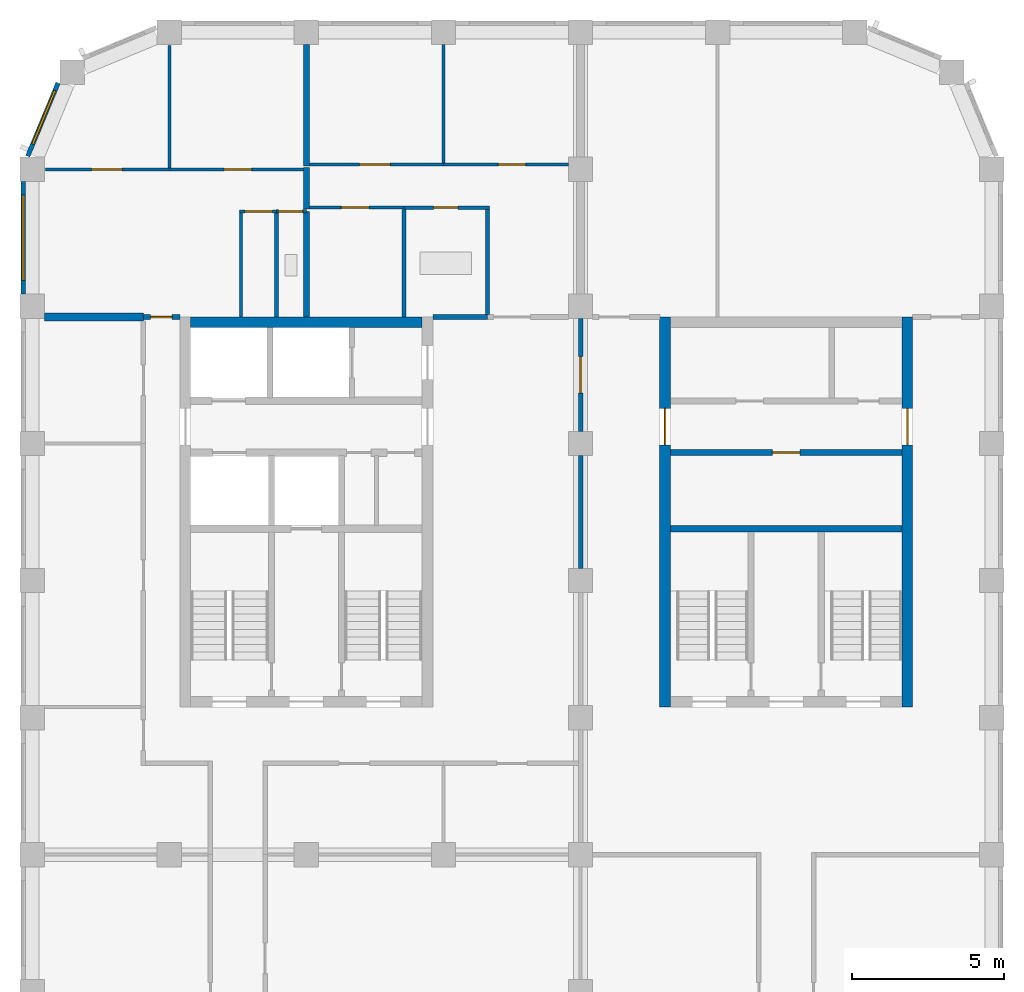
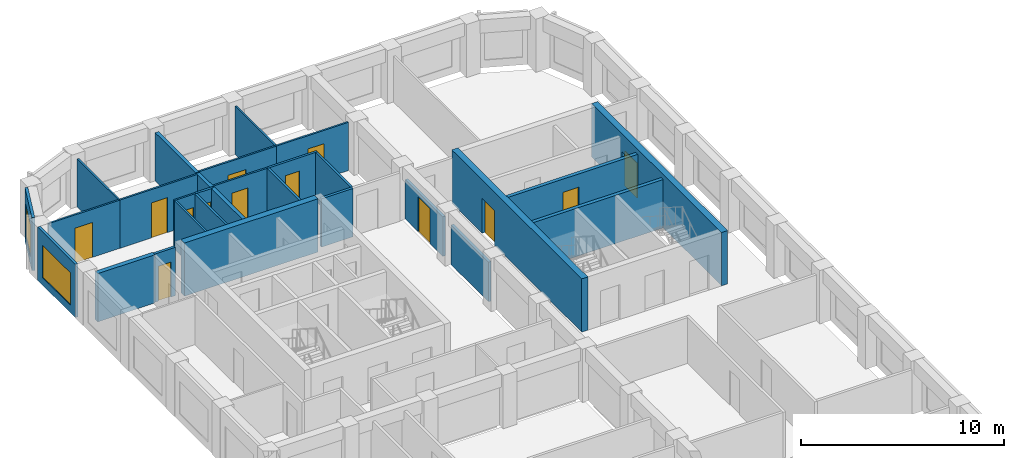
# One storey, part 6 of 10: 29 walls, 13 doors, 2 windows, 15 openings.
"""IFC4 building model written with IfcOpenShell, lengths in metres."""

import ifcopenshell
import ifcopenshell.guid

model = None  # the IFC model being written
_history = None  # IfcOwnerHistory: only IFC2X3 demands one
_inside = {}  # id of a spatial element -> (the spatial element, [elements in it])
_under = {}  # id of a project, library or spatial element -> (it, [spatial elements below it])
_declared = {}  # id of a project -> (the project, [libraries it declares])
_typed = {}  # id of a type object -> (the type object, [elements of that type])
_made_of = {}  # id of a material, layer set ... -> (it, [elements and type objects made of it])


def new_model(schema):
    """Start an empty IFC model of exactly this schema.

    Asked for "IFC4X3", IfcOpenShell would pick the latest addendum, in which some entities
    have other attributes; the version numbers below select the first issue.
    IFC2X3 requires an IfcOwnerHistory on every rooted entity: one is made here for all.
    """
    global model, _history
    if schema == "IFC4X3":
        model = ifcopenshell.file(schema_version=(4, 3, 0, 0))
    else:
        model = ifcopenshell.file(schema=schema)
    _inside.clear()
    _under.clear()
    _declared.clear()
    _typed.clear()
    _made_of.clear()
    _history = None
    if model.schema == "IFC2X3":
        org = make("IfcOrganization", Name="unknown")
        user = make(
            "IfcPersonAndOrganization",
            ThePerson=make("IfcPerson", FamilyName="unknown"),
            TheOrganization=org,
        )
        app = make(
            "IfcApplication",
            ApplicationDeveloper=org,
            Version="unknown",
            ApplicationFullName="unknown",
            ApplicationIdentifier="unknown",
        )
        _history = make(
            "IfcOwnerHistory",
            OwningUser=user,
            OwningApplication=app,
            ChangeAction="ADDED",
            CreationDate=0,
        )
    return model


def make(cls, **values):
    """One entity of the class cls with the attributes given. An attribute that is None is left unset."""
    return model.create_entity(
        cls, **{name: value for name, value in values.items() if value is not None}
    )


def rooted(cls, **values):
    """An entity with a GlobalId (a new one), such as an element, a storey or a relation."""
    return make(cls, GlobalId=ifcopenshell.guid.new(), OwnerHistory=_history, **values)


def si_unit(unit_type, name, prefix=None):
    """IfcSIUnit, for example si_unit("LENGTHUNIT", "METRE", prefix="MILLI")."""
    return make("IfcSIUnit", UnitType=unit_type, Prefix=prefix, Name=name)


def assignment(units):
    """IfcUnitAssignment: the units of a project."""
    return None if units is None else make("IfcUnitAssignment", Units=units)


def point(xyz):
    """IfcCartesianPoint."""
    return None if xyz is None else make("IfcCartesianPoint", Coordinates=xyz)


def direction(xyz):
    """IfcDirection."""
    return None if xyz is None else make("IfcDirection", DirectionRatios=xyz)


def frame(location, z_axis=None, x_axis=None):
    """IfcAxis2Placement3D, a coordinate frame: its origin and axes. An axis left out is left unset."""
    return make(
        "IfcAxis2Placement3D",
        Location=point(location),
        Axis=direction(z_axis),
        RefDirection=direction(x_axis),
    )


def frame_2d(location, x_axis=None):
    """IfcAxis2Placement2D, a coordinate frame in the plane: its origin and x axis."""
    return make(
        "IfcAxis2Placement2D", Location=point(location), RefDirection=direction(x_axis)
    )


def origin():
    """The frame at (0, 0, 0) with its axes left unset."""
    return frame((0.0, 0.0, 0.0))


def place(relative_to, where):
    """IfcLocalPlacement: puts the frame where relative to a parent placement (None: the world)."""
    return make(
        "IfcLocalPlacement", PlacementRelTo=relative_to, RelativePlacement=where
    )


def context(
    kind, dimensions, precision=None, world=None, true_north=None, identifier=None
):
    """IfcGeometricRepresentationContext, for example the 3D "Model" context."""
    return make(
        "IfcGeometricRepresentationContext",
        ContextIdentifier=identifier,
        ContextType=kind,
        CoordinateSpaceDimension=dimensions,
        Precision=precision,
        WorldCoordinateSystem=world,
        TrueNorth=true_north,
    )


def subcontext(parent, identifier, kind, view, scale=None):
    """IfcGeometricRepresentationSubContext, for example "Body" below "Model"."""
    return make(
        "IfcGeometricRepresentationSubContext",
        ContextIdentifier=identifier,
        ContextType=kind,
        ParentContext=parent,
        TargetScale=scale,
        TargetView=view,
    )


def project(units=None, contexts=None):
    """IfcProject with its units and contexts."""
    return rooted(
        "IfcProject",
        Name="project",
        RepresentationContexts=contexts,
        UnitsInContext=assignment(units),
    )


def spatial(cls, under=None, at=None, **own):
    """A site, building, storey or space (cls), placed at a placement, below another one or the project."""
    s = rooted(cls, ObjectPlacement=at, **own)
    if under is not None:
        _under.setdefault(under.id(), (under, []))[1].append(s)
    return s


def profile(cls, at=None, kind="AREA", **sizes):
    """A parametric profile (cls). Its sizes go by their IFC names, for example OverallWidth=200.0."""
    return make(cls, ProfileType=kind, Position=at, **sizes)


def rectangle(**sizes):
    """IfcRectangleProfileDef."""
    return profile("IfcRectangleProfileDef", **sizes)


def extrude(swept, where, along, depth):
    """IfcExtrudedAreaSolid: the profile swept, set in the frame where, extruded along a direction by depth."""
    return make(
        "IfcExtrudedAreaSolid",
        SweptArea=swept,
        Position=where,
        ExtrudedDirection=direction(along),
        Depth=depth,
    )


def shape(context_of_items, identifier, shape_type, items):
    """IfcShapeRepresentation: the items that make up one representation, for example the "Body"."""
    return make(
        "IfcShapeRepresentation",
        ContextOfItems=context_of_items,
        RepresentationIdentifier=identifier,
        RepresentationType=shape_type,
        Items=items,
    )


def material(Name=None, Category=None):
    """IfcMaterial."""
    return make("IfcMaterial", Name=Name, Category=Category)


def layer(
    of_material, thickness, ventilated=None, Name=None, Category=None, Priority=None
):
    """IfcMaterialLayer: one layer of a wall or slab, of a material (None: an air gap)."""
    return make(
        "IfcMaterialLayer",
        Material=of_material,
        LayerThickness=thickness,
        IsVentilated=ventilated,
        Name=Name,
        Category=Category,
        Priority=Priority,
    )


def layer_set(layers, Name=None):
    """IfcMaterialLayerSet."""
    return make("IfcMaterialLayerSet", MaterialLayers=layers, LayerSetName=Name)


def made_of(thing, what):
    """Note that an element or type object is made of a material, layer set ...; save() writes the relation."""
    if what is not None:
        _made_of.setdefault(what.id(), (what, []))[1].append(thing)
    return thing


def type_object(cls, material=None, **own):
    """A type object (cls), such as IfcWallType, which elements share."""
    return made_of(rooted(cls, **own), material)


def element(
    cls,
    number,
    at=None,
    inside=None,
    cuts=None,
    type_object=None,
    material=None,
    context=None,
    identifier="Body",
    shape_type=None,
    held_by="IfcProductDefinitionShape",
    body=None,
    shapes=None,
    **own,
):
    """One element of the class cls, such as IfcWall. Its Tag is "e" and its number.

    at: its placement. inside: the storey or other place that contains it. cuts: it is an
    opening in that element (IfcRelVoidsElement). A single representation is given by context,
    identifier, shape_type and body (its items); several are given by shapes. held_by: the class
    of the entity that holds the representations. save() writes the other relations.
    """
    e = rooted(cls, Tag="e%d" % number, ObjectPlacement=at, **own)
    if body is not None:
        shapes = [shape(context, identifier, shape_type, body)]
    if shapes is not None:
        e.Representation = make(held_by, Representations=shapes)
    if inside is not None:
        _inside.setdefault(inside.id(), (inside, []))[1].append(e)
    if cuts is not None:
        rooted(
            "IfcRelVoidsElement", RelatingBuildingElement=cuts, RelatedOpeningElement=e
        )
    if type_object is not None:
        _typed.setdefault(type_object.id(), (type_object, []))[1].append(e)
    return made_of(e, material)


def fill(opening, filler):
    """IfcRelFillsElement: the door or window that sits in an opening."""
    return rooted(
        "IfcRelFillsElement",
        RelatingOpeningElement=opening,
        RelatedBuildingElement=filler,
    )


def aggregate(whole, parts):
    """IfcRelAggregates: a whole, such as a stair, and the parts it consists of."""
    return rooted("IfcRelAggregates", RelatingObject=whole, RelatedObjects=parts)


def save(model, path):
    """Write the relations noted so far, then the file.

    IfcRelAggregates (storeys below a building ...), IfcRelContainedInSpatialStructure (elements
    in a storey), IfcRelDefinesByType, IfcRelAssociatesMaterial and IfcRelDeclares: one each for
    every whole, place, type object, material and project.
    """
    for whole, parts in _under.values():
        aggregate(whole, parts)
    for where, things in _inside.values():
        rooted(
            "IfcRelContainedInSpatialStructure",
            RelatedElements=things,
            RelatingStructure=where,
        )
    for kind, things in _typed.values():
        rooted("IfcRelDefinesByType", RelatedObjects=things, RelatingType=kind)
    for what, things in _made_of.values():
        rooted("IfcRelAssociatesMaterial", RelatedObjects=things, RelatingMaterial=what)
    for by, libraries in _declared.values():
        rooted("IfcRelDeclares", RelatingContext=by, RelatedDefinitions=libraries)
    model.write(path)


model = new_model("IFC4")

# Units and contexts
model_context = context("Model", 3, precision=1e-05, world=origin(), true_north=direction((0.0, 1.0)))
body_context = subcontext(model_context, "Body", "Model", "MODEL_VIEW")
ifc_project = project(units=[si_unit("LENGTHUNIT", "METRE"), si_unit("AREAUNIT", "SQUARE_METRE"), si_unit("VOLUMEUNIT", "CUBIC_METRE"), si_unit("PLANEANGLEUNIT", "RADIAN"), si_unit("MASSUNIT", "GRAM", prefix="KILO")], contexts=[model_context])

# Site, building, storey
site_placement = place(None, origin())
site = spatial("IfcSite", under=ifc_project, at=site_placement, CompositionType="ELEMENT")
building_placement = place(site_placement, origin())
building = spatial("IfcBuilding", under=site, at=building_placement, Name="Girih Gate Residences", CompositionType="ELEMENT")
storey_placement = place(building_placement, frame((0.0, 0.0, 192.300048828125)))
storey = spatial("IfcBuildingStorey", under=building, at=storey_placement, Name="L53", CompositionType="ELEMENT", Elevation=192.300048828125)

# Wall
ifc_material_1 = material(Name="Gypsum board on steel studs", Category="steel")
ifc_layer_1 = layer(ifc_material_1, 0.25)
ifc_layer_set_1 = layer_set([ifc_layer_1], Name="Acoustic separating wall 250 mm")
wall_type_1 = type_object("IfcWallType", Name="Acoustic separating wall 250 mm", PredefinedType="PARTITIONING", material=ifc_layer_set_1)
wall_1_placement = place(storey_placement, frame((0.39990234375, 40.14990234375, 0.0), z_axis=(0.0, 0.0, 1.0), x_axis=(1.0, 0.0, 0.0)))
element("IfcWall", 1, at=wall_1_placement, inside=storey, type_object=wall_type_1, Name="L53 partition", PredefinedType="PARTITIONING", context=body_context, shape_type="SweptSolid", body=[
    extrude(rectangle(XDim=3.25, YDim=0.25, at=frame_2d((1.625, 0.0))), origin(), (0.0, 0.0, 1.0), 2.89990234375),
])

# Wall, opening, door
ifc_layer_2 = layer(ifc_material_1, 0.14990234375)
ifc_layer_set_2 = layer_set([ifc_layer_2], Name="Compartment wall 150 mm")
wall_type_2 = type_object("IfcWallType", Name="Compartment wall 150 mm", PredefinedType="PARTITIONING", material=ifc_layer_set_2)
wall_2_placement = place(storey_placement, frame((3.64990234375, 40.14990234375, 0.0), z_axis=(0.0, 0.0, 1.0), x_axis=(1.0, 0.0, 0.0)))
wall_2 = element("IfcWall", 2, at=wall_2_placement, inside=storey, type_object=wall_type_2, Name="L53 partition", PredefinedType="PARTITIONING", context=body_context, shape_type="SweptSolid", body=[
    extrude(rectangle(XDim=1.2001953125, YDim=0.14990234375, at=frame_2d((0.60009765625, 0.0))), origin(), (0.0, 0.0, 1.0), 2.89990234375),
])
opening_1_placement = place(wall_2_placement, frame((0.239990234375, 0.0, 0.0)))
opening_1 = element("IfcOpeningElement", 3, at=opening_1_placement, cuts=wall_2, Name="Opening A53-015", PredefinedType="OPENING", context=body_context, shape_type="SweptSolid", body=[
    extrude(rectangle(XDim=0.699951171875, YDim=2.10009765625, at=frame_2d((0.35009765625, 1.050048828125))), frame((0.0, 0.0849609375, 0.0), z_axis=(0.0, -1.0, 0.0), x_axis=(1.0, 0.0, 0.0)), (0.0, 0.0, 1.0), 0.169921875),
])
ifc_material_2 = material(Name="Timber", Category="wood")
door_type_1 = type_object("IfcDoorType", Name="Narrow door 700x2100", OperationType="NOTDEFINED", PredefinedType="DOOR", material=ifc_material_2)
door_1_placement = place(opening_1_placement, origin())
door_1 = element("IfcDoor", 4, at=door_1_placement, inside=storey, type_object=door_type_1, Name="Door A53-015", OperationType="SINGLE_SWING_LEFT", OverallHeight=2.10009765625, OverallWidth=0.699951171875, PredefinedType="DOOR", context=body_context, shape_type="SweptSolid", body=[
    extrude(rectangle(XDim=0.699951171875, YDim=2.10009765625, at=frame_2d((0.35009765625, 1.050048828125))), frame((0.0, 0.02490234375, 0.0), z_axis=(0.0, -1.0, 0.0), x_axis=(1.0, 0.0, 0.0)), (0.0, 0.0, 1.0), 0.050048828125),
])
fill(opening_1, door_1)

# Walls
wall_3_placement = place(storey_placement, frame((13.14990234375, 40.14990234375, 0.0), z_axis=(0.0, 0.0, 1.0), x_axis=(1.0, 0.0, 0.0)))
element("IfcWall", 5, at=wall_3_placement, inside=storey, type_object=wall_type_2, Name="L53 partition", PredefinedType="PARTITIONING", context=body_context, shape_type="SweptSolid", body=[
    extrude(rectangle(XDim=1.800048828125, YDim=0.14990234375, at=frame_2d((0.89990234375, 0.0))), origin(), (0.0, 0.0, 1.0), 2.89990234375),
])
wall_4_placement = place(storey_placement, frame((18.0, 31.89990234375, 0.0), z_axis=(0.0, 0.0, 1.0), x_axis=(0.0, 1.0, 0.0)))
element("IfcWall", 6, at=wall_4_placement, inside=storey, type_object=wall_type_2, Name="L53 partition", PredefinedType="PARTITIONING", context=body_context, shape_type="SweptSolid", body=[
    extrude(rectangle(XDim=3.7001953125, YDim=0.14990234375, at=frame_2d((1.85009765625, 0.0))), origin(), (0.0, 0.0, 1.0), 2.3798828125),
])

# Wall, opening, door
wall_5_placement = place(storey_placement, frame((18.0, 40.10009765625, 0.0), z_axis=(0.0, 0.0, 1.0), x_axis=(0.0, -1.0, 0.0)))
wall_5 = element("IfcWall", 7, at=wall_5_placement, inside=storey, type_object=wall_type_2, Name="L53 partition", PredefinedType="PARTITIONING", context=body_context, shape_type="SweptSolid", body=[
    extrude(rectangle(XDim=3.7001953125, YDim=0.14990234375, at=frame_2d((1.85009765625, 0.0))), origin(), (0.0, 0.0, 1.0), 2.3798828125),
])
opening_2_placement = place(wall_5_placement, frame((1.25, 0.0, 0.0)))
opening_2 = element("IfcOpeningElement", 8, at=opening_2_placement, cuts=wall_5, Name="Opening A53-030", PredefinedType="OPENING", context=body_context, shape_type="SweptSolid", body=[
    extrude(rectangle(XDim=1.199951171875, YDim=2.10009765625, at=frame_2d((0.60009765625, 1.050048828125))), frame((0.0, 0.0849609375, 0.0), z_axis=(0.0, -1.0, 0.0), x_axis=(1.0, 0.0, 0.0)), (0.0, 0.0, 1.0), 0.169921875),
])
ifc_material_3 = material(Name="Timber, fire-rated core", Category="wood")
door_type_2 = type_object("IfcDoorType", Name="Corridor fire door 1200x2100 FD30S", OperationType="NOTDEFINED", PredefinedType="DOOR", material=ifc_material_3)
door_2_placement = place(opening_2_placement, origin())
door_2 = element("IfcDoor", 9, at=door_2_placement, inside=storey, type_object=door_type_2, Name="Door A53-030", OperationType="SINGLE_SWING_LEFT", OverallHeight=2.10009765625, OverallWidth=1.199951171875, PredefinedType="DOOR", context=body_context, shape_type="SweptSolid", body=[
    extrude(rectangle(XDim=1.199951171875, YDim=2.10009765625, at=frame_2d((0.60009765625, 1.050048828125))), frame((0.0, 0.02490234375, 0.0), z_axis=(0.0, -1.0, 0.0), x_axis=(1.0, 0.0, 0.0)), (0.0, 0.0, 1.0), 0.050048828125),
])
fill(opening_2, door_2)

# Wall
ifc_material_4 = material(Name="Concrete C60/75", Category="concrete")
ifc_layer_3 = layer(ifc_material_4, 0.35009765625)
ifc_layer_set_3 = layer_set([ifc_layer_3], Name="Core wall RC 350 Concrete C60/75")
wall_type_3 = type_object("IfcWallType", Name="Core wall RC 350 Concrete C60/75", PredefinedType="SOLIDWALL", material=ifc_layer_set_3)
wall_6_placement = place(storey_placement, frame((5.199951171875, 39.97509765625, 0.0), z_axis=(0.0, 0.0, 1.0), x_axis=(1.0, 0.0, 0.0)))
element("IfcWall", 10, at=wall_6_placement, inside=storey, type_object=wall_type_3, Name="Core wall W-N L53", PredefinedType="SOLIDWALL", context=body_context, shape_type="SweptSolid", body=[
    extrude(rectangle(XDim=7.60009765625, YDim=0.35009765625, at=frame_2d((3.800048828125, 0.0))), origin(), (0.0, 0.0, 1.0), 3.199951171875),
])

# Wall, opening, door
ifc_layer_4 = layer(ifc_material_1, 0.10009765625)
ifc_layer_set_4 = layer_set([ifc_layer_4], Name="Partition 100 mm")
wall_type_4 = type_object("IfcWallType", Name="Partition 100 mm", PredefinedType="PARTITIONING", material=ifc_layer_set_4)
wall_7_placement = place(storey_placement, frame((4.5, 45.0, 0.0), z_axis=(0.0, 0.0, 1.0), x_axis=(1.0, 0.0, 0.0)))
wall_7 = element("IfcWall", 11, at=wall_7_placement, inside=storey, type_object=wall_type_4, Name="L53 partition", PredefinedType="PARTITIONING", context=body_context, shape_type="SweptSolid", body=[
    extrude(rectangle(XDim=4.39990234375, YDim=0.10009765625, at=frame_2d((2.199951171875, 0.0))), origin(), (0.0, 0.0, 1.0), 2.89990234375),
])
opening_3_placement = place(wall_7_placement, frame((1.800048828125, 0.0, 0.0)))
opening_3 = element("IfcOpeningElement", 12, at=opening_3_placement, cuts=wall_7, Name="Opening A53-012", PredefinedType="OPENING", context=body_context, shape_type="SweptSolid", body=[
    extrude(rectangle(XDim=0.89990234375, YDim=2.10009765625, at=frame_2d((0.449951171875, 1.050048828125))), frame((0.0, 0.06005859375, 0.0), z_axis=(0.0, -1.0, 0.0), x_axis=(1.0, 0.0, 0.0)), (0.0, 0.0, 1.0), 0.1201171875),
])
door_type_3 = type_object("IfcDoorType", Name="Bedroom door 900x2100", OperationType="NOTDEFINED", PredefinedType="DOOR", material=ifc_material_2)
door_3_placement = place(opening_3_placement, origin())
door_3 = element("IfcDoor", 13, at=door_3_placement, inside=storey, type_object=door_type_3, Name="Door A53-012", OperationType="SINGLE_SWING_RIGHT", OverallHeight=2.10009765625, OverallWidth=0.89990234375, PredefinedType="DOOR", context=body_context, shape_type="SweptSolid", body=[
    extrude(rectangle(XDim=0.89990234375, YDim=2.10009765625, at=frame_2d((0.449951171875, 1.050048828125))), frame((0.0, 0.02490234375, 0.0), z_axis=(0.0, -1.0, 0.0), x_axis=(1.0, 0.0, 0.0)), (0.0, 0.0, 1.0), 0.050048828125),
])
fill(opening_3, door_3)

# Wall
wall_8_placement = place(storey_placement, frame((4.5, 45.050048828125, 0.0), z_axis=(0.0, 0.0, 1.0), x_axis=(0.0, 1.0, 0.0)))
element("IfcWall", 14, at=wall_8_placement, inside=storey, type_object=wall_type_4, Name="L53 partition", PredefinedType="PARTITIONING", context=body_context, shape_type="SweptSolid", body=[
    extrude(rectangle(XDim=4.01708984375, YDim=0.10009765625, at=frame_2d((2.008544921875, 0.0))), origin(), (0.0, 0.0, 1.0), 2.89990234375),
])

# Wall, opening, door
wall_9_placement = place(storey_placement, frame((8.022705078125, 43.6201171875, 0.0), z_axis=(0.0, 0.0, 1.0), x_axis=(-1.0, 0.0, 0.0)))
wall_9 = element("IfcWall", 15, at=wall_9_placement, inside=storey, type_object=wall_type_4, Name="L53 partition", PredefinedType="PARTITIONING", context=body_context, shape_type="SweptSolid", body=[
    extrude(rectangle(XDim=1.22265625, YDim=0.10009765625, at=frame_2d((0.611328125, 0.0))), origin(), (0.0, 0.0, 1.0), 2.89990234375),
])
opening_4_placement = place(wall_9_placement, frame((0.136474609375, 0.0, 0.0)))
opening_4 = element("IfcOpeningElement", 16, at=opening_4_placement, cuts=wall_9, Name="Opening A53-013", PredefinedType="OPENING", context=body_context, shape_type="SweptSolid", body=[
    extrude(rectangle(XDim=0.89990234375, YDim=2.10009765625, at=frame_2d((0.449951171875, 1.050048828125))), frame((0.0, 0.06005859375, 0.0), z_axis=(0.0, -1.0, 0.0), x_axis=(1.0, 0.0, 0.0)), (0.0, 0.0, 1.0), 0.1201171875),
])
door_type_4 = type_object("IfcDoorType", Name="Kitchen door 900x2100", OperationType="NOTDEFINED", PredefinedType="DOOR", material=ifc_material_2)
door_4_placement = place(opening_4_placement, origin())
door_4 = element("IfcDoor", 17, at=door_4_placement, inside=storey, type_object=door_type_4, Name="Door A53-013", OperationType="SINGLE_SWING_LEFT", OverallHeight=2.10009765625, OverallWidth=0.89990234375, PredefinedType="DOOR", context=body_context, shape_type="SweptSolid", body=[
    extrude(rectangle(XDim=0.89990234375, YDim=2.10009765625, at=frame_2d((0.449951171875, 1.050048828125))), frame((0.0, 0.02490234375, 0.0), z_axis=(0.0, -1.0, 0.0), x_axis=(1.0, 0.0, 0.0)), (0.0, 0.0, 1.0), 0.050048828125),
])
fill(opening_4, door_4)

# Wall
wall_10_placement = place(storey_placement, frame((6.85009765625, 40.14990234375, 0.0), z_axis=(0.0, 0.0, 1.0), x_axis=(0.0, 1.0, 0.0)))
element("IfcWall", 18, at=wall_10_placement, inside=storey, type_object=wall_type_4, Name="L53 partition", PredefinedType="PARTITIONING", context=body_context, shape_type="SweptSolid", body=[
    extrude(rectangle(XDim=3.420166015625, YDim=0.10009765625, at=frame_2d((1.7099609375, 0.0))), origin(), (0.0, 0.0, 1.0), 2.89990234375),
])

# Wall, opening, door
wall_11_placement = place(storey_placement, frame((0.432861328125, 45.0, 0.0), z_axis=(0.0, 0.0, 1.0), x_axis=(1.0, 0.0, 0.0)))
wall_11 = element("IfcWall", 19, at=wall_11_placement, inside=storey, type_object=wall_type_4, Name="L53 partition", PredefinedType="PARTITIONING", context=body_context, shape_type="SweptSolid", body=[
    extrude(rectangle(XDim=4.067138671875, YDim=0.10009765625, at=frame_2d((2.03369140625, 0.0))), origin(), (0.0, 0.0, 1.0), 2.89990234375),
])
opening_5_placement = place(wall_11_placement, frame((1.51708984375, 0.0, 0.0)))
opening_5 = element("IfcOpeningElement", 20, at=opening_5_placement, cuts=wall_11, Name="Opening A53-014", PredefinedType="OPENING", context=body_context, shape_type="SweptSolid", body=[
    extrude(rectangle(XDim=1.0, YDim=2.10009765625, at=frame_2d((0.5, 1.050048828125))), frame((0.0, 0.06005859375, 0.0), z_axis=(0.0, -1.0, 0.0), x_axis=(1.0, 0.0, 0.0)), (0.0, 0.0, 1.0), 0.1201171875),
])
door_type_5 = type_object("IfcDoorType", Name="Living room door 1000x2100", OperationType="NOTDEFINED", PredefinedType="DOOR", material=ifc_material_2)
door_5_placement = place(opening_5_placement, origin())
door_5 = element("IfcDoor", 21, at=door_5_placement, inside=storey, type_object=door_type_5, Name="Door A53-014", OperationType="SINGLE_SWING_LEFT", OverallHeight=2.10009765625, OverallWidth=1.0, PredefinedType="DOOR", context=body_context, shape_type="SweptSolid", body=[
    extrude(rectangle(XDim=1.0, YDim=2.10009765625, at=frame_2d((0.5, 1.050048828125))), frame((0.0, 0.02490234375, 0.0), z_axis=(0.0, -1.0, 0.0), x_axis=(1.0, 0.0, 0.0)), (0.0, 0.0, 1.0), 0.050048828125),
])
fill(opening_5, door_5)

wall_12_placement = place(storey_placement, frame((13.5, 45.159912109375, 0.0), z_axis=(0.0, 0.0, 1.0), x_axis=(1.0, 0.0, 0.0)))
wall_12 = element("IfcWall", 22, at=wall_12_placement, inside=storey, type_object=wall_type_4, Name="L53 partition", PredefinedType="PARTITIONING", context=body_context, shape_type="SweptSolid", body=[
    extrude(rectangle(XDim=4.10009765625, YDim=0.10009765625, at=frame_2d((2.050048828125, 0.0))), origin(), (0.0, 0.0, 1.0), 2.89990234375),
])
opening_6_placement = place(wall_12_placement, frame((1.800048828125, 0.0, 0.0)))
opening_6 = element("IfcOpeningElement", 23, at=opening_6_placement, cuts=wall_12, Name="Opening A53-017", PredefinedType="OPENING", context=body_context, shape_type="SweptSolid", body=[
    extrude(rectangle(XDim=0.89990234375, YDim=2.10009765625, at=frame_2d((0.449951171875, 1.050048828125))), frame((0.0, 0.06005859375, 0.0), z_axis=(0.0, -1.0, 0.0), x_axis=(1.0, 0.0, 0.0)), (0.0, 0.0, 1.0), 0.1201171875),
])
door_6_placement = place(opening_6_placement, origin())
door_6 = element("IfcDoor", 24, at=door_6_placement, inside=storey, type_object=door_type_3, Name="Door A53-017", OperationType="SINGLE_SWING_RIGHT", OverallHeight=2.10009765625, OverallWidth=0.89990234375, PredefinedType="DOOR", context=body_context, shape_type="SweptSolid", body=[
    extrude(rectangle(XDim=0.89990234375, YDim=2.10009765625, at=frame_2d((0.449951171875, 1.050048828125))), frame((0.0, 0.02490234375, 0.0), z_axis=(0.0, -1.0, 0.0), x_axis=(1.0, 0.0, 0.0)), (0.0, 0.0, 1.0), 0.050048828125),
])
fill(opening_6, door_6)

# Wall
wall_13_placement = place(storey_placement, frame((13.5, 45.2099609375, 0.0), z_axis=(0.0, 0.0, 1.0), x_axis=(0.0, 1.0, 0.0)))
element("IfcWall", 25, at=wall_13_placement, inside=storey, type_object=wall_type_4, Name="L53 partition", PredefinedType="PARTITIONING", context=body_context, shape_type="SweptSolid", body=[
    extrude(rectangle(XDim=3.89013671875, YDim=0.10009765625, at=frame_2d((1.945068359375, 0.0))), origin(), (0.0, 0.0, 1.0), 2.89990234375),
])

# Wall, opening, door
wall_14_placement = place(storey_placement, frame((12.200927734375, 43.739990234375, 0.0), z_axis=(0.0, 0.0, 1.0), x_axis=(-1.0, 0.0, 0.0)))
wall_14 = element("IfcWall", 26, at=wall_14_placement, inside=storey, type_object=wall_type_4, Name="L53 partition", PredefinedType="PARTITIONING", context=body_context, shape_type="SweptSolid", body=[
    extrude(rectangle(XDim=3.100830078125, YDim=0.10009765625, at=frame_2d((1.55029296875, 0.0))), origin(), (0.0, 0.0, 1.0), 2.89990234375),
])
opening_7_placement = place(wall_14_placement, frame((1.150390625, 0.0, 0.0)))
opening_7 = element("IfcOpeningElement", 27, at=opening_7_placement, cuts=wall_14, Name="Opening A53-018", PredefinedType="OPENING", context=body_context, shape_type="SweptSolid", body=[
    extrude(rectangle(XDim=0.89990234375, YDim=2.10009765625, at=frame_2d((0.449951171875, 1.050048828125))), frame((0.0, 0.06005859375, 0.0), z_axis=(0.0, -1.0, 0.0), x_axis=(1.0, 0.0, 0.0)), (0.0, 0.0, 1.0), 0.1201171875),
])
door_7_placement = place(opening_7_placement, origin())
door_7 = element("IfcDoor", 28, at=door_7_placement, inside=storey, type_object=door_type_4, Name="Door A53-018", OperationType="SINGLE_SWING_RIGHT", OverallHeight=2.10009765625, OverallWidth=0.89990234375, PredefinedType="DOOR", context=body_context, shape_type="SweptSolid", body=[
    extrude(rectangle(XDim=0.89990234375, YDim=2.10009765625, at=frame_2d((0.449951171875, 1.050048828125))), frame((0.0, 0.02490234375, 0.0), z_axis=(0.0, -1.0, 0.0), x_axis=(1.0, 0.0, 0.0)), (0.0, 0.0, 1.0), 0.050048828125),
])
fill(opening_7, door_7)

wall_15_placement = place(storey_placement, frame((9.10009765625, 45.159912109375, 0.0), z_axis=(0.0, 0.0, 1.0), x_axis=(1.0, 0.0, 0.0)))
wall_15 = element("IfcWall", 29, at=wall_15_placement, inside=storey, type_object=wall_type_4, Name="L53 partition", PredefinedType="PARTITIONING", context=body_context, shape_type="SweptSolid", body=[
    extrude(rectangle(XDim=4.39990234375, YDim=0.10009765625, at=frame_2d((2.199951171875, 0.0))), origin(), (0.0, 0.0, 1.0), 2.89990234375),
])
opening_8_placement = place(wall_15_placement, frame((1.64990234375, 0.0, 0.0)))
opening_8 = element("IfcOpeningElement", 30, at=opening_8_placement, cuts=wall_15, Name="Opening A53-019", PredefinedType="OPENING", context=body_context, shape_type="SweptSolid", body=[
    extrude(rectangle(XDim=1.0, YDim=2.10009765625, at=frame_2d((0.5, 1.050048828125))), frame((0.0, 0.06005859375, 0.0), z_axis=(0.0, -1.0, 0.0), x_axis=(1.0, 0.0, 0.0)), (0.0, 0.0, 1.0), 0.1201171875),
])
door_8_placement = place(opening_8_placement, origin())
door_8 = element("IfcDoor", 31, at=door_8_placement, inside=storey, type_object=door_type_5, Name="Door A53-019", OperationType="SINGLE_SWING_LEFT", OverallHeight=2.10009765625, OverallWidth=1.0, PredefinedType="DOOR", context=body_context, shape_type="SweptSolid", body=[
    extrude(rectangle(XDim=1.0, YDim=2.10009765625, at=frame_2d((0.5, 1.050048828125))), frame((0.0, 0.02490234375, 0.0), z_axis=(0.0, -1.0, 0.0), x_axis=(1.0, 0.0, 0.0)), (0.0, 0.0, 1.0), 0.050048828125),
])
fill(opening_8, door_8)

# Walls
ifc_layer_5 = layer(ifc_material_1, 0.199951171875)
ifc_layer_set_5 = layer_set([ifc_layer_5], Name="Party wall 200 mm")
wall_type_5 = type_object("IfcWallType", Name="Party wall 200 mm", PredefinedType="PARTITIONING", material=ifc_layer_set_5)
wall_16_placement = place(storey_placement, frame((9.0, 40.14990234375, 0.0), z_axis=(0.0, 0.0, 1.0), x_axis=(0.0, 1.0, 0.0)))
element("IfcWall", 32, at=wall_16_placement, inside=storey, type_object=wall_type_5, Name="L53 partition", PredefinedType="PARTITIONING", context=body_context, shape_type="SweptSolid", body=[
    extrude(rectangle(XDim=3.47021484375, YDim=0.199951171875, at=frame_2d((1.735107421875, 0.0))), origin(), (0.0, 0.0, 1.0), 2.89990234375),
])
wall_17_placement = place(storey_placement, frame((9.0, 45.110107421875, 0.0), z_axis=(0.0, 0.0, 1.0), x_axis=(0.0, 1.0, 0.0)))
element("IfcWall", 33, at=wall_17_placement, inside=storey, type_object=wall_type_5, Name="L53 partition", PredefinedType="PARTITIONING", context=body_context, shape_type="SweptSolid", body=[
    extrude(rectangle(XDim=3.989990234375, YDim=0.199951171875, at=frame_2d((1.9951171875, 0.0))), origin(), (0.0, 0.0, 1.0), 2.89990234375),
])
wall_18_placement = place(storey_placement, frame((9.0, 43.68994140625, 0.0), z_axis=(0.0, 0.0, 1.0), x_axis=(0.0, 1.0, 0.0)))
element("IfcWall", 34, at=wall_18_placement, inside=storey, type_object=wall_type_5, Name="L53 partition", PredefinedType="PARTITIONING", context=body_context, shape_type="SweptSolid", body=[
    extrude(rectangle(XDim=1.360107421875, YDim=0.199951171875, at=frame_2d((0.68017578125, 0.0))), origin(), (0.0, 0.0, 1.0), 2.89990234375),
])

# Wall, opening, window
ifc_material_5 = material(Name="Precast concrete C50/60", Category="concrete")
ifc_layer_6 = layer(ifc_material_5, 0.050048828125, Name="Outer leaf")
ifc_material_6 = material(Name="Rigid PIR insulation")
ifc_layer_7 = layer(ifc_material_6, 0.06005859375, Name="Insulation")
ifc_material_7 = material(Name="Precast concrete C40/50", Category="concrete")
ifc_layer_8 = layer(ifc_material_7, 0.0400390625, Name="Inner leaf")
ifc_layer_set_6 = layer_set([ifc_layer_6, ifc_layer_7, ifc_layer_8], Name="Precast concrete C50/60 external wall 150")
wall_type_6 = type_object("IfcWallType", Name="Precast concrete C50/60 external wall 150", PredefinedType="SOLIDWALL", material=ifc_layer_set_6)
wall_19_placement = place(storey_placement, frame((-0.147216796875, 45.4287109375, 0.0), z_axis=(0.0, 0.0, 1.0), x_axis=(0.382669406082, 0.923885342263, 0.0)))
wall_19 = element("IfcWall", 35, at=wall_19_placement, inside=storey, type_object=wall_type_6, Name="External wall NW0013_0482.0", PredefinedType="SOLIDWALL", context=body_context, shape_type="SweptSolid", body=[
    extrude(rectangle(XDim=2.602294921875, YDim=0.14990234375, at=frame_2d((1.30126953125, 0.0))), origin(), (0.0, 0.0, 1.0), 3.199951171875),
])
opening_9_placement = place(wall_19_placement, frame((0.432373046875, 0.0, 0.449951171875)))
opening_9 = element("IfcOpeningElement", 36, at=opening_9_placement, cuts=wall_19, Name="Opening W-2G", PredefinedType="OPENING", context=body_context, shape_type="SweptSolid", body=[
    extrude(rectangle(XDim=1.89990234375, YDim=1.949951171875, at=frame_2d((0.949951171875, 0.97509765625))), frame((0.0, 0.0849609375, 0.0), z_axis=(0.0, -1.0, 0.0), x_axis=(1.0, 0.0, 0.0)), (0.0, 0.0, 1.0), 0.169921875),
])
ifc_material_8 = material(Name="Double glazing in aluminium frame", Category="aluminium")
window_type_1 = type_object("IfcWindowType", Name="Window W-2G 1900x1950", PartitioningType="SINGLE_PANEL", PredefinedType="WINDOW", material=ifc_material_8)
window_1_placement = place(opening_9_placement, origin())
window_1 = element("IfcWindow", 37, at=window_1_placement, inside=storey, type_object=window_type_1, Name="Window W-2G NW0013_0482.0", OverallHeight=1.949951171875, OverallWidth=1.89990234375, PartitioningType="SINGLE_PANEL", PredefinedType="WINDOW", context=body_context, shape_type="SweptSolid", body=[
    extrude(rectangle(XDim=1.89990234375, YDim=1.949951171875, at=frame_2d((0.949951171875, 0.97509765625))), frame((0.0, 0.030029296875, 0.0), z_axis=(0.0, -1.0, 0.0), x_axis=(1.0, 0.0, 0.0)), (0.0, 0.0, 1.0), 0.06005859375),
])
fill(opening_9, window_1)

wall_20_placement = place(storey_placement, frame((-0.300048828125, 40.89990234375, 0.0), z_axis=(0.0, 0.0, 1.0), x_axis=(0.0, 1.0, 0.0)))
wall_20 = element("IfcWall", 38, at=wall_20_placement, inside=storey, type_object=wall_type_6, Name="External wall W0000_0450.0", PredefinedType="SOLIDWALL", context=body_context, shape_type="SweptSolid", body=[
    extrude(rectangle(XDim=3.7001953125, YDim=0.14990234375, at=frame_2d((1.85009765625, 0.0))), origin(), (0.0, 0.0, 1.0), 3.199951171875),
])
opening_10_placement = place(wall_20_placement, frame((0.449951171875, 0.0, 0.449951171875)))
opening_10 = element("IfcOpeningElement", 39, at=opening_10_placement, cuts=wall_20, Name="Opening W-1B", PredefinedType="OPENING", context=body_context, shape_type="SweptSolid", body=[
    extrude(rectangle(XDim=2.800048828125, YDim=1.949951171875, at=frame_2d((1.39990234375, 0.97509765625))), frame((0.0, 0.0849609375, 0.0), z_axis=(0.0, -1.0, 0.0), x_axis=(1.0, 0.0, 0.0)), (0.0, 0.0, 1.0), 0.169921875),
])
window_type_2 = type_object("IfcWindowType", Name="Window W-1B 2800x1950", PartitioningType="SINGLE_PANEL", PredefinedType="WINDOW", material=ifc_material_8)
window_2_placement = place(opening_10_placement, origin())
window_2 = element("IfcWindow", 40, at=window_2_placement, inside=storey, type_object=window_type_2, Name="Window W-1B W0000_0450.0", OverallHeight=1.949951171875, OverallWidth=2.800048828125, PartitioningType="SINGLE_PANEL", PredefinedType="WINDOW", context=body_context, shape_type="SweptSolid", body=[
    extrude(rectangle(XDim=2.800048828125, YDim=1.949951171875, at=frame_2d((1.39990234375, 0.97509765625))), frame((0.0, 0.030029296875, 0.0), z_axis=(0.0, -1.0, 0.0), x_axis=(1.0, 0.0, 0.0)), (0.0, 0.0, 1.0), 0.06005859375),
])
fill(opening_10, window_2)

# Wall
ifc_material_9 = material(Name="Concrete C40/50", Category="concrete")
ifc_layer_9 = layer(ifc_material_9, 0.199951171875)
ifc_layer_set_7 = layer_set([ifc_layer_9], Name="Shaft wall 200")
wall_type_7 = type_object("IfcWallType", Name="Shaft wall 200", PredefinedType="SOLIDWALL", material=ifc_layer_set_7)
wall_21_placement = place(storey_placement, frame((20.949951171875, 33.199951171875, 0.0), z_axis=(0.0, 0.0, 1.0), x_axis=(1.0, 0.0, 0.0)))
element("IfcWall", 41, at=wall_21_placement, inside=storey, type_object=wall_type_7, Name="L53 C core wall H1", PredefinedType="SOLIDWALL", context=body_context, shape_type="SweptSolid", body=[
    extrude(rectangle(XDim=7.60009765625, YDim=0.199951171875, at=frame_2d((3.800048828125, 0.0))), origin(), (0.0, 0.0, 1.0), 2.89990234375),
])

# Wall, opening, door
wall_22_placement = place(storey_placement, frame((20.949951171875, 35.699951171875, 0.0), z_axis=(0.0, 0.0, 1.0), x_axis=(1.0, 0.0, 0.0)))
wall_22 = element("IfcWall", 42, at=wall_22_placement, inside=storey, type_object=wall_type_7, Name="L53 C core wall H2", PredefinedType="SOLIDWALL", context=body_context, shape_type="SweptSolid", body=[
    extrude(rectangle(XDim=7.60009765625, YDim=0.199951171875, at=frame_2d((3.800048828125, 0.0))), origin(), (0.0, 0.0, 1.0), 2.89990234375),
])
opening_11_placement = place(wall_22_placement, frame((3.35009765625, 0.0, 0.0)))
opening_11 = element("IfcOpeningElement", 43, at=opening_11_placement, cuts=wall_22, Name="Opening D-L53-C-004", PredefinedType="OPENING", context=body_context, shape_type="SweptSolid", body=[
    extrude(rectangle(XDim=0.89990234375, YDim=2.10009765625, at=frame_2d((0.449951171875, 1.050048828125))), frame((0.0, 0.10986328125, 0.0), z_axis=(0.0, -1.0, 0.0), x_axis=(1.0, 0.0, 0.0)), (0.0, 0.0, 1.0), 0.219970703125),
])
ifc_material_10 = material(Name="Painted steel, fire-resisting", Category="steel")
door_type_6 = type_object("IfcDoorType", Name="Fire door 900x2100", OperationType="SINGLE_SWING_LEFT", PredefinedType="DOOR", material=ifc_material_10)
door_9_placement = place(opening_11_placement, origin())
door_9 = element("IfcDoor", 44, at=door_9_placement, inside=storey, type_object=door_type_6, Name="L53 C housekeeping store door", OperationType="SINGLE_SWING_LEFT", OverallHeight=2.10009765625, OverallWidth=0.89990234375, PredefinedType="DOOR", context=body_context, shape_type="SweptSolid", body=[
    extrude(rectangle(XDim=0.89990234375, YDim=2.10009765625, at=frame_2d((0.449951171875, 1.050048828125))), frame((0.0, 0.02490234375, 0.0), z_axis=(0.0, -1.0, 0.0), x_axis=(1.0, 0.0, 0.0)), (0.0, 0.0, 1.0), 0.050048828125),
])
fill(opening_11, door_9)

ifc_layer_10 = layer(ifc_material_9, 0.35009765625)
ifc_layer_set_8 = layer_set([ifc_layer_10], Name="Stair core wall RC 350 Concrete C40/50")
wall_type_8 = type_object("IfcWallType", Name="Stair core wall RC 350 Concrete C40/50", PredefinedType="SOLIDWALL", material=ifc_layer_set_8)
wall_23_placement = place(storey_placement, frame((20.77490234375, 27.35009765625, 0.0), z_axis=(0.0, 0.0, 1.0), x_axis=(0.0, 1.0, 0.0)))
wall_23 = element("IfcWall", 45, at=wall_23_placement, inside=storey, type_object=wall_type_8, Name="Stair core wall C-W L53", PredefinedType="SOLIDWALL", context=body_context, shape_type="SweptSolid", body=[
    extrude(rectangle(XDim=12.7998046875, YDim=0.35009765625, at=frame_2d((6.39990234375, 0.0))), origin(), (0.0, 0.0, 1.0), 3.199951171875),
])
opening_12_placement = place(wall_23_placement, frame((8.60009765625, 0.0, 0.0)))
opening_12 = element("IfcOpeningElement", 46, at=opening_12_placement, cuts=wall_23, Name="Opening D-L53-C-009", PredefinedType="OPENING", context=body_context, shape_type="SweptSolid", body=[
    extrude(rectangle(XDim=1.199951171875, YDim=2.10009765625, at=frame_2d((0.60009765625, 1.050048828125))), frame((0.0, 0.18505859375, 0.0), z_axis=(0.0, -1.0, 0.0), x_axis=(1.0, 0.0, 0.0)), (0.0, 0.0, 1.0), 0.3701171875),
])
door_type_7 = type_object("IfcDoorType", Name="Fire door 1200x2100", OperationType="SINGLE_SWING_LEFT", PredefinedType="DOOR", material=ifc_material_10)
door_10_placement = place(opening_12_placement, origin())
door_10 = element("IfcDoor", 47, at=door_10_placement, inside=storey, type_object=door_type_7, Name="L53 C core door ll-w", OperationType="SINGLE_SWING_LEFT", OverallHeight=2.10009765625, OverallWidth=1.199951171875, PredefinedType="DOOR", context=body_context, shape_type="SweptSolid", body=[
    extrude(rectangle(XDim=1.199951171875, YDim=2.10009765625, at=frame_2d((0.60009765625, 1.050048828125))), frame((0.0, 0.02490234375, 0.0), z_axis=(0.0, -1.0, 0.0), x_axis=(1.0, 0.0, 0.0)), (0.0, 0.0, 1.0), 0.050048828125),
])
fill(opening_12, door_10)

wall_24_placement = place(storey_placement, frame((28.72509765625, 27.35009765625, 0.0), z_axis=(0.0, 0.0, 1.0), x_axis=(0.0, 1.0, 0.0)))
wall_24 = element("IfcWall", 48, at=wall_24_placement, inside=storey, type_object=wall_type_8, Name="Stair core wall C-E L53", PredefinedType="SOLIDWALL", context=body_context, shape_type="SweptSolid", body=[
    extrude(rectangle(XDim=12.7998046875, YDim=0.35009765625, at=frame_2d((6.39990234375, 0.0))), origin(), (0.0, 0.0, 1.0), 3.199951171875),
])
opening_13_placement = place(wall_24_placement, frame((8.60009765625, 0.0, 0.0)))
opening_13 = element("IfcOpeningElement", 49, at=opening_13_placement, cuts=wall_24, Name="Opening D-L53-C-010", PredefinedType="OPENING", context=body_context, shape_type="SweptSolid", body=[
    extrude(rectangle(XDim=1.199951171875, YDim=2.10009765625, at=frame_2d((0.60009765625, 1.050048828125))), frame((0.0, 0.18505859375, 0.0), z_axis=(0.0, -1.0, 0.0), x_axis=(1.0, 0.0, 0.0)), (0.0, 0.0, 1.0), 0.3701171875),
])
door_11_placement = place(opening_13_placement, origin())
door_11 = element("IfcDoor", 50, at=door_11_placement, inside=storey, type_object=door_type_7, Name="L53 C core door ll-e", OperationType="SINGLE_SWING_LEFT", OverallHeight=2.10009765625, OverallWidth=1.199951171875, PredefinedType="DOOR", context=body_context, shape_type="SweptSolid", body=[
    extrude(rectangle(XDim=1.199951171875, YDim=2.10009765625, at=frame_2d((0.60009765625, 1.050048828125))), frame((0.0, 0.02490234375, 0.0), z_axis=(0.0, -1.0, 0.0), x_axis=(1.0, 0.0, 0.0)), (0.0, 0.0, 1.0), 0.050048828125),
])
fill(opening_13, door_11)

ifc_layer_11 = layer(ifc_material_1, 0.125)
ifc_layer_set_9 = layer_set([ifc_layer_11], Name="Wet room wall 125 mm")
wall_type_9 = type_object("IfcWallType", Name="Wet room wall 125 mm", PredefinedType="PARTITIONING", material=ifc_layer_set_9)
wall_25_placement = place(storey_placement, frame((9.0, 43.6201171875, 0.0), z_axis=(0.0, 0.0, 1.0), x_axis=(-1.0, 0.0, 0.0)))
wall_25 = element("IfcWall", 51, at=wall_25_placement, inside=storey, type_object=wall_type_9, Name="L53 partition", PredefinedType="PARTITIONING", context=body_context, shape_type="SweptSolid", body=[
    extrude(rectangle(XDim=0.977294921875, YDim=0.125, at=frame_2d((0.48876953125, 0.0))), origin(), (0.0, 0.0, 1.0), 2.89990234375),
])
opening_14_placement = place(wall_25_placement, frame((0.1201171875, 0.0, 0.0)))
opening_14 = element("IfcOpeningElement", 52, at=opening_14_placement, cuts=wall_25, Name="Opening A53-011", PredefinedType="OPENING", context=body_context, shape_type="SweptSolid", body=[
    extrude(rectangle(XDim=0.800048828125, YDim=2.10009765625, at=frame_2d((0.39990234375, 1.050048828125))), frame((0.0, 0.072509765625, 0.0), z_axis=(0.0, -1.0, 0.0), x_axis=(1.0, 0.0, 0.0)), (0.0, 0.0, 1.0), 0.14501953125),
])
door_type_8 = type_object("IfcDoorType", Name="Bathroom door 800x2100", OperationType="NOTDEFINED", PredefinedType="DOOR", material=ifc_material_2)
door_12_placement = place(opening_14_placement, origin())
door_12 = element("IfcDoor", 53, at=door_12_placement, inside=storey, type_object=door_type_8, Name="Door A53-011", OperationType="SINGLE_SWING_LEFT", OverallHeight=2.10009765625, OverallWidth=0.800048828125, PredefinedType="DOOR", context=body_context, shape_type="SweptSolid", body=[
    extrude(rectangle(XDim=0.800048828125, YDim=2.10009765625, at=frame_2d((0.39990234375, 1.050048828125))), frame((0.0, 0.02490234375, 0.0), z_axis=(0.0, -1.0, 0.0), x_axis=(1.0, 0.0, 0.0)), (0.0, 0.0, 1.0), 0.050048828125),
])
fill(opening_14, door_12)

# Wall
wall_26_placement = place(storey_placement, frame((8.02294921875, 40.14990234375, 0.0), z_axis=(0.0, 0.0, 1.0), x_axis=(0.0, 1.0, 0.0)))
element("IfcWall", 54, at=wall_26_placement, inside=storey, type_object=wall_type_9, Name="L53 partition", PredefinedType="PARTITIONING", context=body_context, shape_type="SweptSolid", body=[
    extrude(rectangle(XDim=3.40771484375, YDim=0.125, at=frame_2d((1.703857421875, 0.0))), origin(), (0.0, 0.0, 1.0), 2.89990234375),
])

# Wall, opening, door
wall_27_placement = place(storey_placement, frame((15.012451171875, 43.739990234375, 0.0), z_axis=(0.0, 0.0, 1.0), x_axis=(-1.0, 0.0, 0.0)))
wall_27 = element("IfcWall", 55, at=wall_27_placement, inside=storey, type_object=wall_type_9, Name="L53 partition", PredefinedType="PARTITIONING", context=body_context, shape_type="SweptSolid", body=[
    extrude(rectangle(XDim=2.8115234375, YDim=0.125, at=frame_2d((1.40576171875, 0.0))), origin(), (0.0, 0.0, 1.0), 2.89990234375),
])
opening_15_placement = place(wall_27_placement, frame((1.037109375, 0.0, 0.0)))
opening_15 = element("IfcOpeningElement", 56, at=opening_15_placement, cuts=wall_27, Name="Opening A53-016", PredefinedType="OPENING", context=body_context, shape_type="SweptSolid", body=[
    extrude(rectangle(XDim=0.800048828125, YDim=2.10009765625, at=frame_2d((0.39990234375, 1.050048828125))), frame((0.0, 0.072509765625, 0.0), z_axis=(0.0, -1.0, 0.0), x_axis=(1.0, 0.0, 0.0)), (0.0, 0.0, 1.0), 0.14501953125),
])
door_13_placement = place(opening_15_placement, origin())
door_13 = element("IfcDoor", 57, at=door_13_placement, inside=storey, type_object=door_type_8, Name="Door A53-016", OperationType="SINGLE_SWING_RIGHT", OverallHeight=2.10009765625, OverallWidth=0.800048828125, PredefinedType="DOOR", context=body_context, shape_type="SweptSolid", body=[
    extrude(rectangle(XDim=0.800048828125, YDim=2.10009765625, at=frame_2d((0.39990234375, 1.050048828125))), frame((0.0, 0.02490234375, 0.0), z_axis=(0.0, -1.0, 0.0), x_axis=(1.0, 0.0, 0.0)), (0.0, 0.0, 1.0), 0.050048828125),
])
fill(opening_15, door_13)

# Walls
wall_28_placement = place(storey_placement, frame((14.949951171875, 40.22509765625, 0.0), z_axis=(0.0, 0.0, 1.0), x_axis=(0.0, 1.0, 0.0)))
element("IfcWall", 58, at=wall_28_placement, inside=storey, type_object=wall_type_9, Name="L53 partition", PredefinedType="PARTITIONING", context=body_context, shape_type="SweptSolid", body=[
    extrude(rectangle(XDim=3.452392578125, YDim=0.125, at=frame_2d((1.72607421875, 0.0))), origin(), (0.0, 0.0, 1.0), 2.89990234375),
])
wall_29_placement = place(storey_placement, frame((12.200927734375, 40.14990234375, 0.0), z_axis=(0.0, 0.0, 1.0), x_axis=(0.0, 1.0, 0.0)))
element("IfcWall", 59, at=wall_29_placement, inside=storey, type_object=wall_type_9, Name="L53 partition", PredefinedType="PARTITIONING", context=body_context, shape_type="SweptSolid", body=[
    extrude(rectangle(XDim=3.527587890625, YDim=0.125, at=frame_2d((1.763671875, 0.0))), origin(), (0.0, 0.0, 1.0), 2.89990234375),
])

save(model, "model.ifc")
